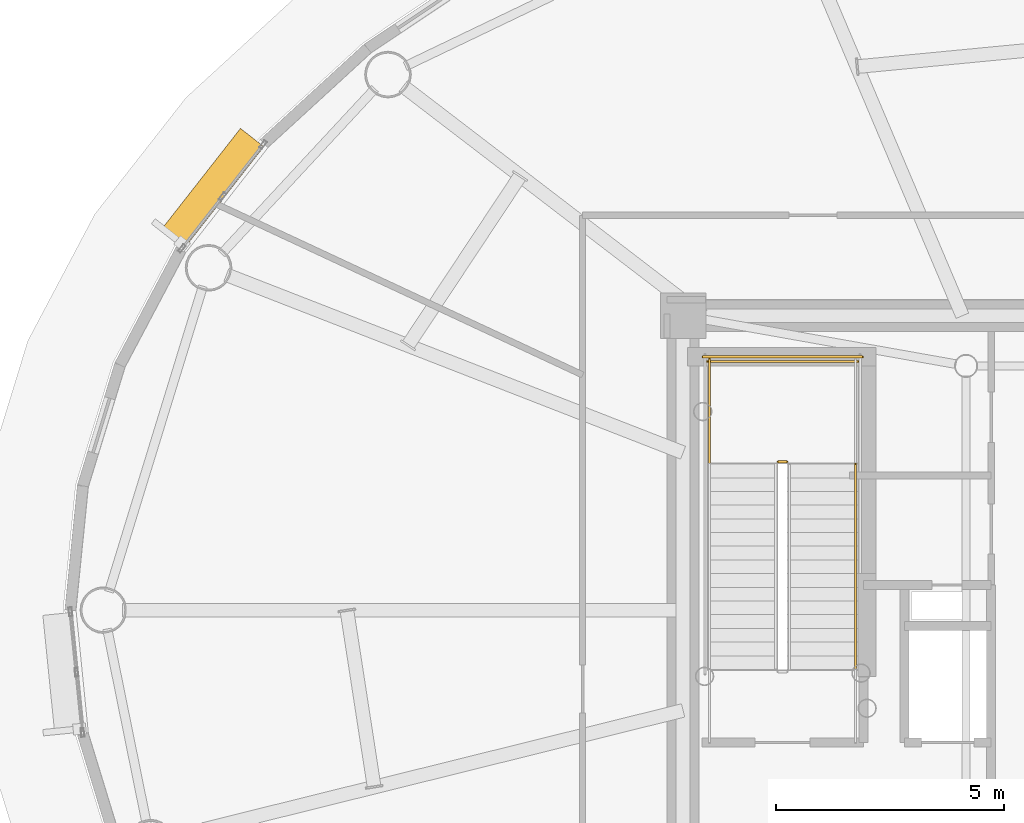
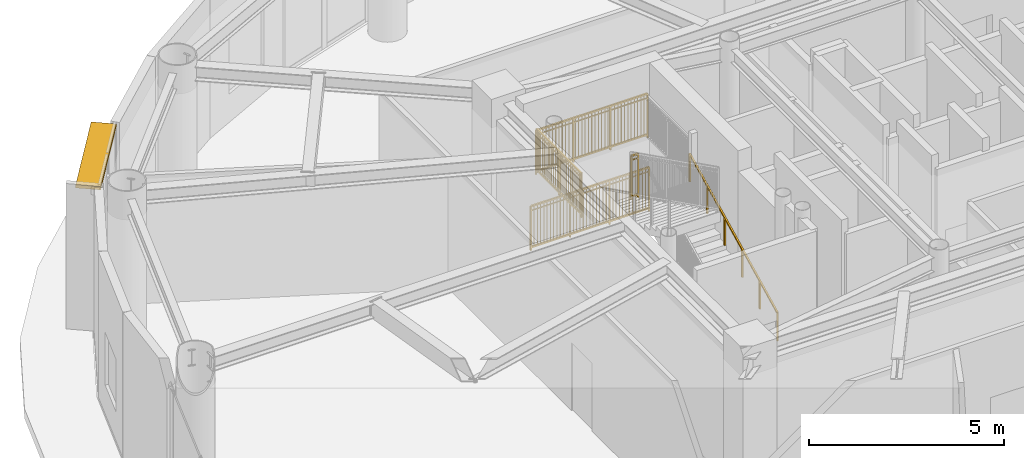
# One storey, part 29 of 32: 5 railings, 1 shading device.
"""IFC4 building model written with IfcOpenShell, lengths in metres."""

from ifc_helpers import new_model, si_unit, direction, frame, origin, origin_2d, place, context, subcontext, project, spatial, rectangle, extrude, source, transform, mapped, material, layer, layer_set, type_object, element, save


model = new_model("IFC4")

# Units and contexts
model_context = context("Model", 3, precision=1e-05, world=origin(), true_north=direction((0.0, 1.0)))
body_context = subcontext(model_context, "Body", "Model", "MODEL_VIEW")
ifc_project = project(units=[si_unit("LENGTHUNIT", "METRE"), si_unit("AREAUNIT", "SQUARE_METRE"), si_unit("VOLUMEUNIT", "CUBIC_METRE"), si_unit("PLANEANGLEUNIT", "RADIAN"), si_unit("MASSUNIT", "GRAM", prefix="KILO")], contexts=[model_context])

# Site, building, storey
site_placement = place(None, origin())
site = spatial("IfcSite", under=ifc_project, at=site_placement, CompositionType="ELEMENT")
building_placement = place(site_placement, origin())
building = spatial("IfcBuilding", under=site, at=building_placement, Name="Linh Dai School and Residence Tower", CompositionType="ELEMENT")
storey_placement = place(building_placement, frame((0.0, 0.0, 268.199951171875)))
storey = spatial("IfcBuildingStorey", under=building, at=storey_placement, Name="L66", CompositionType="ELEMENT", Elevation=268.199951171875)

# Shading device
ifc_material_1 = material(Name="Terracotta Ceramic Sunshade", Category="masonry")
ifc_layer = layer(ifc_material_1, 0.10009765625)
ifc_layer_set = layer_set([ifc_layer], Name="Terracotta Ceramic Sunshade")
shading_device_type = type_object("IfcShadingDeviceType", Name="SHD-TC-650", PredefinedType="USERDEFINED", material=ifc_layer_set)
shared_shape_1 = source(origin(), body_context, "Body", "SweptSolid", [
    extrude(rectangle(XDim=2.84033203125, YDim=0.64990234375, at=origin_2d()), origin(), (0.0, 0.0, 1.0), 0.10009765625),
])
shading_device_placement = place(storey_placement, frame((16.83349609375, 36.2353515625, 4.429931640625), z_axis=(0.0, 0.0, 1.0), x_axis=(0.616310813471, 0.78750300393, 0.0)))
element("IfcShadingDevice", 1, at=shading_device_placement, inside=storey, type_object=shading_device_type, Name="L66 Terracotta Horizontal Sunshade Band 17", ObjectType="SUNSHADE", PredefinedType="USERDEFINED", context=body_context, shape_type="MappedRepresentation", body=[
    mapped(shared_shape_1, transform((0.0, 0.0, 0.0), x_axis=(1.0, 0.0, 0.0), y_axis=(0.0, 1.0, 0.0), z_axis=(0.0, 0.0, 1.0), scale=1.0)),
])

# Railings
ifc_material_2 = material(Name="Structural Steel S355JR", Category="steel")
railing_type_1 = type_object("IfcRailingType", Name="RL-ST-GUARD-1400", PredefinedType="GUARDRAIL", material=ifc_material_2)
shared_shape_2 = source(origin(), body_context, "Body", "SweptSolid", [
    extrude(rectangle(XDim=0.048095703125, YDim=0.048095703125, at=origin_2d()), frame((0.0, 0.0, 1.3759765625), z_axis=(-1.0, 0.0, 0.0), x_axis=(0.0, -1.0, 0.0)), (0.0, 0.0, 1.0), 0.199951171875),
    extrude(rectangle(XDim=0.048095703125, YDim=0.048095703125, at=origin_2d()), frame((0.0, 0.0, 0.10009765625), z_axis=(-1.0, 0.0, 0.0), x_axis=(0.0, -1.0, 0.0)), (0.0, 0.0, 1.0), 0.199951171875),
    extrude(rectangle(XDim=0.030029296875, YDim=0.030029296875, at=origin_2d()), frame((0.0, 0.0, 1.239990234375), z_axis=(-1.0, 0.0, 0.0), x_axis=(0.0, -1.0, 0.0)), (0.0, 0.0, 1.0), 0.199951171875),
    extrude(rectangle(XDim=0.0419921875, YDim=0.0419921875, at=origin_2d()), origin(), (0.0, 0.0, 1.0), 1.3759765625),
    extrude(rectangle(XDim=0.0419921875, YDim=0.0419921875, at=origin_2d()), frame((-0.199951171875, 0.0, 0.0)), (0.0, 0.0, 1.0), 1.3759765625),
])
railing_1_placement = place(storey_placement, frame((29.429931640625, 30.25, 2.400146484375)))
element("IfcRailing", 2, at=railing_1_placement, inside=storey, type_object=railing_type_1, Name="L66 ST1 stair guard 2", PredefinedType="GUARDRAIL", context=body_context, shape_type="MappedRepresentation", body=[
    mapped(shared_shape_2, transform((0.0, 0.0, 0.0), x_axis=(1.0, 0.0, 0.0), y_axis=(0.0, 1.0, 0.0), z_axis=(0.0, 0.0, 1.0), scale=1.0)),
])
shared_shape_3 = source(origin(), body_context, "Body", "SweptSolid", [
    extrude(rectangle(XDim=0.048095703125, YDim=0.048095703125, at=origin_2d()), frame((0.0, 0.0, 1.3759765625), z_axis=(-1.0, 0.0, 0.0), x_axis=(0.0, -1.0, 0.0)), (0.0, 0.0, 1.0), 3.300048828125),
    extrude(rectangle(XDim=0.048095703125, YDim=0.048095703125, at=origin_2d()), frame((0.0, 0.0, 0.10009765625), z_axis=(-1.0, 0.0, 0.0), x_axis=(0.0, -1.0, 0.0)), (0.0, 0.0, 1.0), 3.300048828125),
    extrude(rectangle(XDim=0.030029296875, YDim=0.030029296875, at=origin_2d()), frame((0.0, 0.0, 1.239990234375), z_axis=(-1.0, 0.0, 0.0), x_axis=(0.0, -1.0, 0.0)), (0.0, 0.0, 1.0), 3.300048828125),
    extrude(rectangle(XDim=0.02001953125, YDim=0.02001953125, at=origin_2d()), frame((-0.09716796875, 0.0, 0.10009765625)), (0.0, 0.0, 1.0), 1.251708984375),
    extrude(rectangle(XDim=0.02001953125, YDim=0.02001953125, at=origin_2d()), frame((-0.194091796875, 0.0, 0.10009765625)), (0.0, 0.0, 1.0), 1.251708984375),
    extrude(rectangle(XDim=0.02001953125, YDim=0.02001953125, at=origin_2d()), frame((-0.291259765625, 0.0, 0.10009765625)), (0.0, 0.0, 1.0), 1.251708984375),
    extrude(rectangle(XDim=0.02001953125, YDim=0.02001953125, at=origin_2d()), frame((-0.38818359375, 0.0, 0.10009765625)), (0.0, 0.0, 1.0), 1.251708984375),
    extrude(rectangle(XDim=0.02001953125, YDim=0.02001953125, at=origin_2d()), frame((-0.4853515625, 0.0, 0.10009765625)), (0.0, 0.0, 1.0), 1.251708984375),
    extrude(rectangle(XDim=0.02001953125, YDim=0.02001953125, at=origin_2d()), frame((-0.582275390625, 0.0, 0.10009765625)), (0.0, 0.0, 1.0), 1.251708984375),
    extrude(rectangle(XDim=0.02001953125, YDim=0.02001953125, at=origin_2d()), frame((-0.679443359375, 0.0, 0.10009765625)), (0.0, 0.0, 1.0), 1.251708984375),
    extrude(rectangle(XDim=0.02001953125, YDim=0.02001953125, at=origin_2d()), frame((-0.7763671875, 0.0, 0.10009765625)), (0.0, 0.0, 1.0), 1.251708984375),
    extrude(rectangle(XDim=0.02001953125, YDim=0.02001953125, at=origin_2d()), frame((-0.87353515625, 0.0, 0.10009765625)), (0.0, 0.0, 1.0), 1.251708984375),
    extrude(rectangle(XDim=0.02001953125, YDim=0.02001953125, at=origin_2d()), frame((-0.970703125, 0.0, 0.10009765625)), (0.0, 0.0, 1.0), 1.251708984375),
    extrude(rectangle(XDim=0.02001953125, YDim=0.02001953125, at=origin_2d()), frame((-1.164794921875, 0.0, 0.10009765625)), (0.0, 0.0, 1.0), 1.251708984375),
    extrude(rectangle(XDim=0.02001953125, YDim=0.02001953125, at=origin_2d()), frame((-1.26171875, 0.0, 0.10009765625)), (0.0, 0.0, 1.0), 1.251708984375),
    extrude(rectangle(XDim=0.02001953125, YDim=0.02001953125, at=origin_2d()), frame((-1.35888671875, 0.0, 0.10009765625)), (0.0, 0.0, 1.0), 1.251708984375),
    extrude(rectangle(XDim=0.02001953125, YDim=0.02001953125, at=origin_2d()), frame((-1.455810546875, 0.0, 0.10009765625)), (0.0, 0.0, 1.0), 1.251708984375),
    extrude(rectangle(XDim=0.02001953125, YDim=0.02001953125, at=origin_2d()), frame((-1.552978515625, 0.0, 0.10009765625)), (0.0, 0.0, 1.0), 1.251708984375),
    extrude(rectangle(XDim=0.02001953125, YDim=0.02001953125, at=origin_2d()), frame((-1.64990234375, 0.0, 0.10009765625)), (0.0, 0.0, 1.0), 1.251708984375),
    extrude(rectangle(XDim=0.02001953125, YDim=0.02001953125, at=origin_2d()), frame((-1.7470703125, 0.0, 0.10009765625)), (0.0, 0.0, 1.0), 1.251708984375),
    extrude(rectangle(XDim=0.02001953125, YDim=0.02001953125, at=origin_2d()), frame((-1.84423828125, 0.0, 0.10009765625)), (0.0, 0.0, 1.0), 1.251708984375),
    extrude(rectangle(XDim=0.02001953125, YDim=0.02001953125, at=origin_2d()), frame((-1.941162109375, 0.0, 0.10009765625)), (0.0, 0.0, 1.0), 1.251708984375),
    extrude(rectangle(XDim=0.02001953125, YDim=0.02001953125, at=origin_2d()), frame((-2.038330078125, 0.0, 0.10009765625)), (0.0, 0.0, 1.0), 1.251708984375),
    extrude(rectangle(XDim=0.02001953125, YDim=0.02001953125, at=origin_2d()), frame((-2.13525390625, 0.0, 0.10009765625)), (0.0, 0.0, 1.0), 1.251708984375),
    extrude(rectangle(XDim=0.02001953125, YDim=0.02001953125, at=origin_2d()), frame((-2.329345703125, 0.0, 0.10009765625)), (0.0, 0.0, 1.0), 1.251708984375),
    extrude(rectangle(XDim=0.02001953125, YDim=0.02001953125, at=origin_2d()), frame((-2.426513671875, 0.0, 0.10009765625)), (0.0, 0.0, 1.0), 1.251708984375),
    extrude(rectangle(XDim=0.02001953125, YDim=0.02001953125, at=origin_2d()), frame((-2.523681640625, 0.0, 0.10009765625)), (0.0, 0.0, 1.0), 1.251708984375),
    extrude(rectangle(XDim=0.02001953125, YDim=0.02001953125, at=origin_2d()), frame((-2.62060546875, 0.0, 0.10009765625)), (0.0, 0.0, 1.0), 1.251708984375),
    extrude(rectangle(XDim=0.02001953125, YDim=0.02001953125, at=origin_2d()), frame((-2.7177734375, 0.0, 0.10009765625)), (0.0, 0.0, 1.0), 1.251708984375),
    extrude(rectangle(XDim=0.02001953125, YDim=0.02001953125, at=origin_2d()), frame((-2.814697265625, 0.0, 0.10009765625)), (0.0, 0.0, 1.0), 1.251708984375),
    extrude(rectangle(XDim=0.02001953125, YDim=0.02001953125, at=origin_2d()), frame((-2.911865234375, 0.0, 0.10009765625)), (0.0, 0.0, 1.0), 1.251708984375),
    extrude(rectangle(XDim=0.02001953125, YDim=0.02001953125, at=origin_2d()), frame((-3.0087890625, 0.0, 0.10009765625)), (0.0, 0.0, 1.0), 1.251708984375),
    extrude(rectangle(XDim=0.02001953125, YDim=0.02001953125, at=origin_2d()), frame((-3.10595703125, 0.0, 0.10009765625)), (0.0, 0.0, 1.0), 1.251708984375),
    extrude(rectangle(XDim=0.02001953125, YDim=0.02001953125, at=origin_2d()), frame((-3.202880859375, 0.0, 0.10009765625)), (0.0, 0.0, 1.0), 1.251708984375),
    extrude(rectangle(XDim=0.0419921875, YDim=0.0419921875, at=origin_2d()), origin(), (0.0, 0.0, 1.0), 1.3759765625),
    extrude(rectangle(XDim=0.0419921875, YDim=0.0419921875, at=origin_2d()), frame((-1.10009765625, 0.0, 0.0)), (0.0, 0.0, 1.0), 1.3759765625),
    extrude(rectangle(XDim=0.0419921875, YDim=0.0419921875, at=origin_2d()), frame((-2.199951171875, 0.0, 0.0)), (0.0, 0.0, 1.0), 1.3759765625),
    extrude(rectangle(XDim=0.0419921875, YDim=0.0419921875, at=origin_2d()), frame((-3.300048828125, 0.0, 0.0)), (0.0, 0.0, 1.0), 1.3759765625),
])
railing_2_placement = place(storey_placement, frame((30.97998046875, 32.449951171875, 2.400146484375)))
element("IfcRailing", 3, at=railing_2_placement, inside=storey, type_object=railing_type_1, Name="L66 ST1 stair guard 5", PredefinedType="GUARDRAIL", context=body_context, shape_type="MappedRepresentation", body=[
    mapped(shared_shape_3, transform((0.0, 0.0, 0.0), x_axis=(1.0, 0.0, 0.0), y_axis=(0.0, 1.0, 0.0), z_axis=(0.0, 0.0, 1.0), scale=1.0)),
])
shared_shape_4 = source(origin(), body_context, "Body", "SweptSolid", [
    extrude(rectangle(XDim=0.048095703125, YDim=0.048095703125, at=origin_2d()), frame((0.0, 0.0, 1.3759765625), z_axis=(-1.0, 0.0, 0.0), x_axis=(0.0, -1.0, 0.0)), (0.0, 0.0, 1.0), 3.5),
    extrude(rectangle(XDim=0.048095703125, YDim=0.048095703125, at=origin_2d()), frame((0.0, 0.0, 0.10009765625), z_axis=(-1.0, 0.0, 0.0), x_axis=(0.0, -1.0, 0.0)), (0.0, 0.0, 1.0), 3.5),
    extrude(rectangle(XDim=0.030029296875, YDim=0.030029296875, at=origin_2d()), frame((0.0, 0.0, 1.239990234375), z_axis=(-1.0, 0.0, 0.0), x_axis=(0.0, -1.0, 0.0)), (0.0, 0.0, 1.0), 3.5),
    extrude(rectangle(XDim=0.02001953125, YDim=0.02001953125, at=origin_2d()), frame((-0.09716796875, 0.0, 0.10009765625)), (0.0, 0.0, 1.0), 1.251708984375),
    extrude(rectangle(XDim=0.02001953125, YDim=0.02001953125, at=origin_2d()), frame((-0.1943359375, 0.0, 0.10009765625)), (0.0, 0.0, 1.0), 1.251708984375),
    extrude(rectangle(XDim=0.02001953125, YDim=0.02001953125, at=origin_2d()), frame((-0.291748046875, 0.0, 0.10009765625)), (0.0, 0.0, 1.0), 1.251708984375),
    extrude(rectangle(XDim=0.02001953125, YDim=0.02001953125, at=origin_2d()), frame((-0.388916015625, 0.0, 0.10009765625)), (0.0, 0.0, 1.0), 1.251708984375),
    extrude(rectangle(XDim=0.02001953125, YDim=0.02001953125, at=origin_2d()), frame((-0.486083984375, 0.0, 0.10009765625)), (0.0, 0.0, 1.0), 1.251708984375),
    extrude(rectangle(XDim=0.02001953125, YDim=0.02001953125, at=origin_2d()), frame((-0.583251953125, 0.0, 0.10009765625)), (0.0, 0.0, 1.0), 1.251708984375),
    extrude(rectangle(XDim=0.02001953125, YDim=0.02001953125, at=origin_2d()), frame((-0.6806640625, 0.0, 0.10009765625)), (0.0, 0.0, 1.0), 1.251708984375),
    extrude(rectangle(XDim=0.02001953125, YDim=0.02001953125, at=origin_2d()), frame((-0.77783203125, 0.0, 0.10009765625)), (0.0, 0.0, 1.0), 1.251708984375),
    extrude(rectangle(XDim=0.02001953125, YDim=0.02001953125, at=origin_2d()), frame((-0.875, 0.0, 0.10009765625)), (0.0, 0.0, 1.0), 1.251708984375),
    extrude(rectangle(XDim=0.02001953125, YDim=0.02001953125, at=origin_2d()), frame((-0.97216796875, 0.0, 0.10009765625)), (0.0, 0.0, 1.0), 1.251708984375),
    extrude(rectangle(XDim=0.02001953125, YDim=0.02001953125, at=origin_2d()), frame((-1.0693359375, 0.0, 0.10009765625)), (0.0, 0.0, 1.0), 1.251708984375),
    extrude(rectangle(XDim=0.02001953125, YDim=0.02001953125, at=origin_2d()), frame((-1.263916015625, 0.0, 0.10009765625)), (0.0, 0.0, 1.0), 1.251708984375),
    extrude(rectangle(XDim=0.02001953125, YDim=0.02001953125, at=origin_2d()), frame((-1.361083984375, 0.0, 0.10009765625)), (0.0, 0.0, 1.0), 1.251708984375),
    extrude(rectangle(XDim=0.02001953125, YDim=0.02001953125, at=origin_2d()), frame((-1.458251953125, 0.0, 0.10009765625)), (0.0, 0.0, 1.0), 1.251708984375),
    extrude(rectangle(XDim=0.02001953125, YDim=0.02001953125, at=origin_2d()), frame((-1.5556640625, 0.0, 0.10009765625)), (0.0, 0.0, 1.0), 1.251708984375),
    extrude(rectangle(XDim=0.02001953125, YDim=0.02001953125, at=origin_2d()), frame((-1.65283203125, 0.0, 0.10009765625)), (0.0, 0.0, 1.0), 1.251708984375),
    extrude(rectangle(XDim=0.02001953125, YDim=0.02001953125, at=origin_2d()), frame((-1.75, 0.0, 0.10009765625)), (0.0, 0.0, 1.0), 1.251708984375),
    extrude(rectangle(XDim=0.02001953125, YDim=0.02001953125, at=origin_2d()), frame((-1.84716796875, 0.0, 0.10009765625)), (0.0, 0.0, 1.0), 1.251708984375),
    extrude(rectangle(XDim=0.02001953125, YDim=0.02001953125, at=origin_2d()), frame((-1.9443359375, 0.0, 0.10009765625)), (0.0, 0.0, 1.0), 1.251708984375),
    extrude(rectangle(XDim=0.02001953125, YDim=0.02001953125, at=origin_2d()), frame((-2.041748046875, 0.0, 0.10009765625)), (0.0, 0.0, 1.0), 1.251708984375),
    extrude(rectangle(XDim=0.02001953125, YDim=0.02001953125, at=origin_2d()), frame((-2.138916015625, 0.0, 0.10009765625)), (0.0, 0.0, 1.0), 1.251708984375),
    extrude(rectangle(XDim=0.02001953125, YDim=0.02001953125, at=origin_2d()), frame((-2.236083984375, 0.0, 0.10009765625)), (0.0, 0.0, 1.0), 1.251708984375),
    extrude(rectangle(XDim=0.02001953125, YDim=0.02001953125, at=origin_2d()), frame((-2.4306640625, 0.0, 0.10009765625)), (0.0, 0.0, 1.0), 1.251708984375),
    extrude(rectangle(XDim=0.02001953125, YDim=0.02001953125, at=origin_2d()), frame((-2.52783203125, 0.0, 0.10009765625)), (0.0, 0.0, 1.0), 1.251708984375),
    extrude(rectangle(XDim=0.02001953125, YDim=0.02001953125, at=origin_2d()), frame((-2.625, 0.0, 0.10009765625)), (0.0, 0.0, 1.0), 1.251708984375),
    extrude(rectangle(XDim=0.02001953125, YDim=0.02001953125, at=origin_2d()), frame((-2.72216796875, 0.0, 0.10009765625)), (0.0, 0.0, 1.0), 1.251708984375),
    extrude(rectangle(XDim=0.02001953125, YDim=0.02001953125, at=origin_2d()), frame((-2.8193359375, 0.0, 0.10009765625)), (0.0, 0.0, 1.0), 1.251708984375),
    extrude(rectangle(XDim=0.02001953125, YDim=0.02001953125, at=origin_2d()), frame((-2.916748046875, 0.0, 0.10009765625)), (0.0, 0.0, 1.0), 1.251708984375),
    extrude(rectangle(XDim=0.02001953125, YDim=0.02001953125, at=origin_2d()), frame((-3.013916015625, 0.0, 0.10009765625)), (0.0, 0.0, 1.0), 1.251708984375),
    extrude(rectangle(XDim=0.02001953125, YDim=0.02001953125, at=origin_2d()), frame((-3.111083984375, 0.0, 0.10009765625)), (0.0, 0.0, 1.0), 1.251708984375),
    extrude(rectangle(XDim=0.02001953125, YDim=0.02001953125, at=origin_2d()), frame((-3.208251953125, 0.0, 0.10009765625)), (0.0, 0.0, 1.0), 1.251708984375),
    extrude(rectangle(XDim=0.02001953125, YDim=0.02001953125, at=origin_2d()), frame((-3.3056640625, 0.0, 0.10009765625)), (0.0, 0.0, 1.0), 1.251708984375),
    extrude(rectangle(XDim=0.02001953125, YDim=0.02001953125, at=origin_2d()), frame((-3.40283203125, 0.0, 0.10009765625)), (0.0, 0.0, 1.0), 1.251708984375),
    extrude(rectangle(XDim=0.0419921875, YDim=0.0419921875, at=origin_2d()), origin(), (0.0, 0.0, 1.0), 1.3759765625),
    extrude(rectangle(XDim=0.0419921875, YDim=0.0419921875, at=origin_2d()), frame((-1.166748046875, 0.0, 0.0)), (0.0, 0.0, 1.0), 1.3759765625),
    extrude(rectangle(XDim=0.0419921875, YDim=0.0419921875, at=origin_2d()), frame((-2.333251953125, 0.0, 0.0)), (0.0, 0.0, 1.0), 1.3759765625),
    extrude(rectangle(XDim=0.0419921875, YDim=0.0419921875, at=origin_2d()), frame((-3.5, 0.0, 0.0)), (0.0, 0.0, 1.0), 1.3759765625),
])
railing_3_placement = place(storey_placement, frame((31.080078125, 32.550048828125, 0.0)))
element("IfcRailing", 4, at=railing_3_placement, inside=storey, type_object=railing_type_1, Name="L66 ST1 stair guard 12", PredefinedType="GUARDRAIL", context=body_context, shape_type="MappedRepresentation", body=[
    mapped(shared_shape_4, transform((0.0, 0.0, 0.0), x_axis=(1.0, 0.0, 0.0), y_axis=(0.0, 1.0, 0.0), z_axis=(0.0, 0.0, 1.0), scale=1.0)),
])
shared_shape_5 = source(origin(), body_context, "Body", "SweptSolid", [
    extrude(rectangle(XDim=0.048095703125, YDim=0.048095703125, at=origin_2d()), frame((0.0, 0.0, 1.3759765625), z_axis=(0.0, 1.0, 0.0), x_axis=(-1.0, 0.0, 0.0)), (0.0, 0.0, 1.0), 2.300048828125),
    extrude(rectangle(XDim=0.048095703125, YDim=0.048095703125, at=origin_2d()), frame((0.0, 0.0, 0.10009765625), z_axis=(0.0, 1.0, 0.0), x_axis=(-1.0, 0.0, 0.0)), (0.0, 0.0, 1.0), 2.300048828125),
    extrude(rectangle(XDim=0.030029296875, YDim=0.030029296875, at=origin_2d()), frame((0.0, 0.0, 1.239990234375), z_axis=(0.0, 1.0, 0.0), x_axis=(-1.0, 0.0, 0.0)), (0.0, 0.0, 1.0), 2.300048828125),
    extrude(rectangle(XDim=0.02001953125, YDim=0.02001953125, at=origin_2d()), frame((0.0, 0.095947265625, 0.10009765625)), (0.0, 0.0, 1.0), 1.251708984375),
    extrude(rectangle(XDim=0.02001953125, YDim=0.02001953125, at=origin_2d()), frame((0.0, 0.191650390625, 0.10009765625)), (0.0, 0.0, 1.0), 1.251708984375),
    extrude(rectangle(XDim=0.02001953125, YDim=0.02001953125, at=origin_2d()), frame((0.0, 0.28759765625, 0.10009765625)), (0.0, 0.0, 1.0), 1.251708984375),
    extrude(rectangle(XDim=0.02001953125, YDim=0.02001953125, at=origin_2d()), frame((0.0, 0.38330078125, 0.10009765625)), (0.0, 0.0, 1.0), 1.251708984375),
    extrude(rectangle(XDim=0.02001953125, YDim=0.02001953125, at=origin_2d()), frame((0.0, 0.479248046875, 0.10009765625)), (0.0, 0.0, 1.0), 1.251708984375),
    extrude(rectangle(XDim=0.02001953125, YDim=0.02001953125, at=origin_2d()), frame((0.0, 0.574951171875, 0.10009765625)), (0.0, 0.0, 1.0), 1.251708984375),
    extrude(rectangle(XDim=0.02001953125, YDim=0.02001953125, at=origin_2d()), frame((0.0, 0.6708984375, 0.10009765625)), (0.0, 0.0, 1.0), 1.251708984375),
    extrude(rectangle(XDim=0.02001953125, YDim=0.02001953125, at=origin_2d()), frame((0.0, 0.7666015625, 0.10009765625)), (0.0, 0.0, 1.0), 1.251708984375),
    extrude(rectangle(XDim=0.02001953125, YDim=0.02001953125, at=origin_2d()), frame((0.0, 0.862548828125, 0.10009765625)), (0.0, 0.0, 1.0), 1.251708984375),
    extrude(rectangle(XDim=0.02001953125, YDim=0.02001953125, at=origin_2d()), frame((0.0, 0.958251953125, 0.10009765625)), (0.0, 0.0, 1.0), 1.251708984375),
    extrude(rectangle(XDim=0.02001953125, YDim=0.02001953125, at=origin_2d()), frame((0.0, 1.05419921875, 0.10009765625)), (0.0, 0.0, 1.0), 1.251708984375),
    extrude(rectangle(XDim=0.02001953125, YDim=0.02001953125, at=origin_2d()), frame((0.0, 1.245849609375, 0.10009765625)), (0.0, 0.0, 1.0), 1.251708984375),
    extrude(rectangle(XDim=0.02001953125, YDim=0.02001953125, at=origin_2d()), frame((0.0, 1.341796875, 0.10009765625)), (0.0, 0.0, 1.0), 1.251708984375),
    extrude(rectangle(XDim=0.02001953125, YDim=0.02001953125, at=origin_2d()), frame((0.0, 1.4375, 0.10009765625)), (0.0, 0.0, 1.0), 1.251708984375),
    extrude(rectangle(XDim=0.02001953125, YDim=0.02001953125, at=origin_2d()), frame((0.0, 1.533447265625, 0.10009765625)), (0.0, 0.0, 1.0), 1.251708984375),
    extrude(rectangle(XDim=0.02001953125, YDim=0.02001953125, at=origin_2d()), frame((0.0, 1.629150390625, 0.10009765625)), (0.0, 0.0, 1.0), 1.251708984375),
    extrude(rectangle(XDim=0.02001953125, YDim=0.02001953125, at=origin_2d()), frame((0.0, 1.72509765625, 0.10009765625)), (0.0, 0.0, 1.0), 1.251708984375),
    extrude(rectangle(XDim=0.02001953125, YDim=0.02001953125, at=origin_2d()), frame((0.0, 1.82080078125, 0.10009765625)), (0.0, 0.0, 1.0), 1.251708984375),
    extrude(rectangle(XDim=0.02001953125, YDim=0.02001953125, at=origin_2d()), frame((0.0, 1.916748046875, 0.10009765625)), (0.0, 0.0, 1.0), 1.251708984375),
    extrude(rectangle(XDim=0.02001953125, YDim=0.02001953125, at=origin_2d()), frame((0.0, 2.012451171875, 0.10009765625)), (0.0, 0.0, 1.0), 1.251708984375),
    extrude(rectangle(XDim=0.02001953125, YDim=0.02001953125, at=origin_2d()), frame((0.0, 2.1083984375, 0.10009765625)), (0.0, 0.0, 1.0), 1.251708984375),
    extrude(rectangle(XDim=0.02001953125, YDim=0.02001953125, at=origin_2d()), frame((0.0, 2.2041015625, 0.10009765625)), (0.0, 0.0, 1.0), 1.251708984375),
    extrude(rectangle(XDim=0.0419921875, YDim=0.0419921875, at=origin_2d()), origin(), (0.0, 0.0, 1.0), 1.3759765625),
    extrude(rectangle(XDim=0.0419921875, YDim=0.0419921875, at=origin_2d()), frame((0.0, 1.14990234375, 0.0)), (0.0, 0.0, 1.0), 1.3759765625),
    extrude(rectangle(XDim=0.0419921875, YDim=0.0419921875, at=origin_2d()), frame((0.0, 2.300048828125, 0.0)), (0.0, 0.0, 1.0), 1.3759765625),
])
railing_4_placement = place(storey_placement, frame((27.72998046875, 30.199951171875, 2.400146484375)))
element("IfcRailing", 5, at=railing_4_placement, inside=storey, type_object=railing_type_1, Name="L66 ST1 stair guard 4", PredefinedType="GUARDRAIL", context=body_context, shape_type="MappedRepresentation", body=[
    mapped(shared_shape_5, transform((0.0, 0.0, 0.0), x_axis=(1.0, 0.0, 0.0), y_axis=(0.0, 1.0, 0.0), z_axis=(0.0, 0.0, 1.0), scale=1.0)),
])
ifc_material_3 = material(Name="Brushed Stainless Steel Handrail", Category="steel")
railing_type_2 = type_object("IfcRailingType", Name="RL-ST-HANDRAIL-900", PredefinedType="HANDRAIL", material=ifc_material_3)
shared_shape_6 = source(origin(), body_context, "Body", "SweptSolid", [
    extrude(rectangle(XDim=0.048095703125, YDim=0.048095703125, at=origin_2d()), frame((0.0, 0.0, 0.8759765625), z_axis=(0.0, 0.894427191, 0.4472135955), x_axis=(-1.0, 0.0, 0.0)), (0.0, 0.0, 1.0), 5.03125),
    extrude(rectangle(XDim=0.0419921875, YDim=0.0419921875, at=origin_2d()), origin(), (0.0, 0.0, 1.0), 0.8759765625),
    extrude(rectangle(XDim=0.0419921875, YDim=0.0419921875, at=origin_2d()), frame((0.0, 0.89990234375, 0.449951171875)), (0.0, 0.0, 1.0), 0.8759765625),
    extrude(rectangle(XDim=0.0419921875, YDim=0.0419921875, at=origin_2d()), frame((0.0, 1.800048828125, 0.89990234375)), (0.0, 0.0, 1.0), 0.8759765625),
    extrude(rectangle(XDim=0.0419921875, YDim=0.0419921875, at=origin_2d()), frame((0.0, 2.699951171875, 1.35009765625)), (0.0, 0.0, 1.0), 0.8759765625),
    extrude(rectangle(XDim=0.0419921875, YDim=0.0419921875, at=origin_2d()), frame((0.0, 3.60009765625, 1.800048828125)), (0.0, 0.0, 1.0), 0.8759765625),
    extrude(rectangle(XDim=0.0419921875, YDim=0.0419921875, at=origin_2d()), frame((0.0, 4.5, 2.25)), (0.0, 0.0, 1.0), 0.8759765625),
])
railing_5_placement = place(storey_placement, frame((30.929931640625, 25.699951171875, 0.150146484375)))
element("IfcRailing", 6, at=railing_5_placement, inside=storey, type_object=railing_type_2, Name="L66 ST1 stair handrail 1", PredefinedType="HANDRAIL", context=body_context, shape_type="MappedRepresentation", body=[
    mapped(shared_shape_6, transform((0.0, 0.0, 0.0), x_axis=(1.0, 0.0, 0.0), y_axis=(0.0, 1.0, 0.0), z_axis=(0.0, 0.0, 1.0), scale=1.0)),
])

save(model, "model.ifc")
